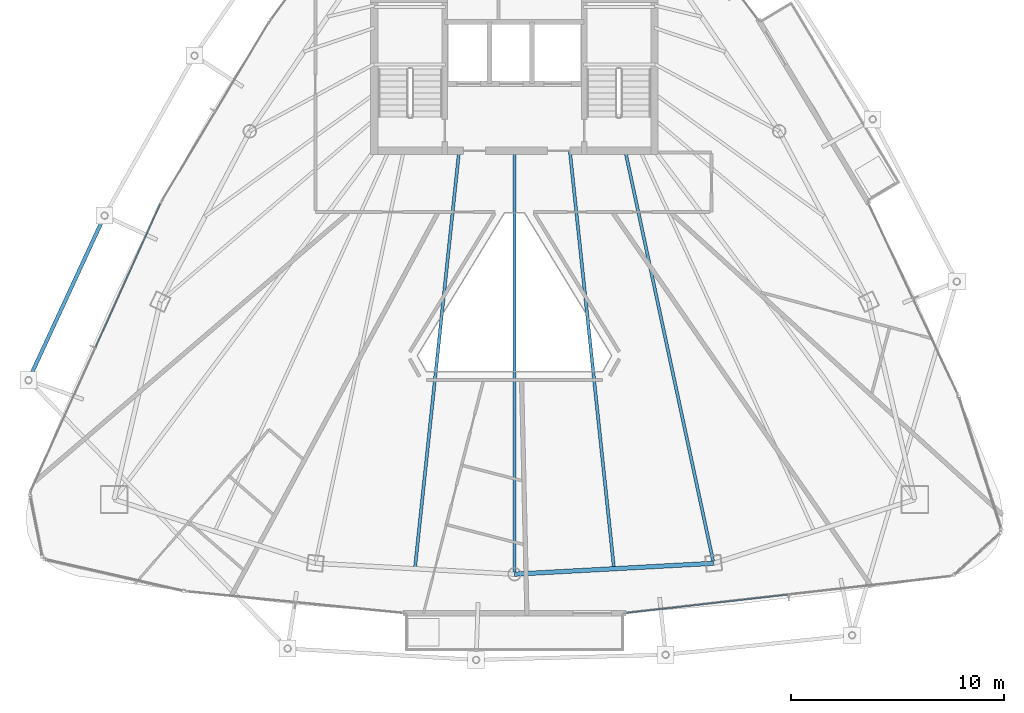
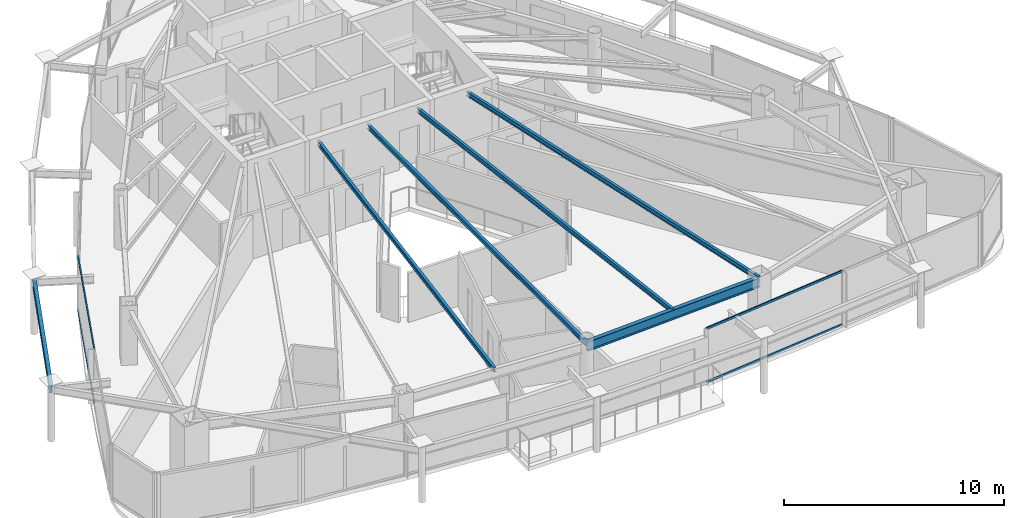
# One storey, part 9 of 30: 6 beams, 4 members, 2 elements without a shape of their own.
"""IFC4 building model written with IfcOpenShell, lengths in metres."""

import ifcopenshell
import ifcopenshell.guid

model = None  # the IFC model being written
_history = None  # IfcOwnerHistory: only IFC2X3 demands one
_inside = {}  # id of a spatial element -> (the spatial element, [elements in it])
_under = {}  # id of a project, library or spatial element -> (it, [spatial elements below it])
_declared = {}  # id of a project -> (the project, [libraries it declares])
_typed = {}  # id of a type object -> (the type object, [elements of that type])
_made_of = {}  # id of a material, layer set ... -> (it, [elements and type objects made of it])


def new_model(schema):
    """Start an empty IFC model of exactly this schema.

    Asked for "IFC4X3", IfcOpenShell would pick the latest addendum, in which some entities
    have other attributes; the version numbers below select the first issue.
    IFC2X3 requires an IfcOwnerHistory on every rooted entity: one is made here for all.
    """
    global model, _history
    if schema == "IFC4X3":
        model = ifcopenshell.file(schema_version=(4, 3, 0, 0))
    else:
        model = ifcopenshell.file(schema=schema)
    _inside.clear()
    _under.clear()
    _declared.clear()
    _typed.clear()
    _made_of.clear()
    _history = None
    if model.schema == "IFC2X3":
        org = make("IfcOrganization", Name="unknown")
        user = make(
            "IfcPersonAndOrganization",
            ThePerson=make("IfcPerson", FamilyName="unknown"),
            TheOrganization=org,
        )
        app = make(
            "IfcApplication",
            ApplicationDeveloper=org,
            Version="unknown",
            ApplicationFullName="unknown",
            ApplicationIdentifier="unknown",
        )
        _history = make(
            "IfcOwnerHistory",
            OwningUser=user,
            OwningApplication=app,
            ChangeAction="ADDED",
            CreationDate=0,
        )
    return model


def make(cls, **values):
    """One entity of the class cls with the attributes given. An attribute that is None is left unset."""
    return model.create_entity(
        cls, **{name: value for name, value in values.items() if value is not None}
    )


def rooted(cls, **values):
    """An entity with a GlobalId (a new one), such as an element, a storey or a relation."""
    return make(cls, GlobalId=ifcopenshell.guid.new(), OwnerHistory=_history, **values)


def si_unit(unit_type, name, prefix=None):
    """IfcSIUnit, for example si_unit("LENGTHUNIT", "METRE", prefix="MILLI")."""
    return make("IfcSIUnit", UnitType=unit_type, Prefix=prefix, Name=name)


def assignment(units):
    """IfcUnitAssignment: the units of a project."""
    return None if units is None else make("IfcUnitAssignment", Units=units)


def point(xyz):
    """IfcCartesianPoint."""
    return None if xyz is None else make("IfcCartesianPoint", Coordinates=xyz)


def direction(xyz):
    """IfcDirection."""
    return None if xyz is None else make("IfcDirection", DirectionRatios=xyz)


def frame(location, z_axis=None, x_axis=None):
    """IfcAxis2Placement3D, a coordinate frame: its origin and axes. An axis left out is left unset."""
    return make(
        "IfcAxis2Placement3D",
        Location=point(location),
        Axis=direction(z_axis),
        RefDirection=direction(x_axis),
    )


def frame_2d(location, x_axis=None):
    """IfcAxis2Placement2D, a coordinate frame in the plane: its origin and x axis."""
    return make(
        "IfcAxis2Placement2D", Location=point(location), RefDirection=direction(x_axis)
    )


def origin():
    """The frame at (0, 0, 0) with its axes left unset."""
    return frame((0.0, 0.0, 0.0))


def origin_2d():
    """The frame at (0, 0) in the plane with its x axis left unset."""
    return frame_2d((0.0, 0.0))


def place(relative_to, where):
    """IfcLocalPlacement: puts the frame where relative to a parent placement (None: the world)."""
    return make(
        "IfcLocalPlacement", PlacementRelTo=relative_to, RelativePlacement=where
    )


def context(
    kind, dimensions, precision=None, world=None, true_north=None, identifier=None
):
    """IfcGeometricRepresentationContext, for example the 3D "Model" context."""
    return make(
        "IfcGeometricRepresentationContext",
        ContextIdentifier=identifier,
        ContextType=kind,
        CoordinateSpaceDimension=dimensions,
        Precision=precision,
        WorldCoordinateSystem=world,
        TrueNorth=true_north,
    )


def subcontext(parent, identifier, kind, view, scale=None):
    """IfcGeometricRepresentationSubContext, for example "Body" below "Model"."""
    return make(
        "IfcGeometricRepresentationSubContext",
        ContextIdentifier=identifier,
        ContextType=kind,
        ParentContext=parent,
        TargetScale=scale,
        TargetView=view,
    )


def project(units=None, contexts=None):
    """IfcProject with its units and contexts."""
    return rooted(
        "IfcProject",
        Name="project",
        RepresentationContexts=contexts,
        UnitsInContext=assignment(units),
    )


def spatial(cls, under=None, at=None, **own):
    """A site, building, storey or space (cls), placed at a placement, below another one or the project."""
    s = rooted(cls, ObjectPlacement=at, **own)
    if under is not None:
        _under.setdefault(under.id(), (under, []))[1].append(s)
    return s


def profile(cls, at=None, kind="AREA", **sizes):
    """A parametric profile (cls). Its sizes go by their IFC names, for example OverallWidth=200.0."""
    return make(cls, ProfileType=kind, Position=at, **sizes)


def hollow_rectangle(**sizes):
    """IfcRectangleHollowProfileDef."""
    return profile("IfcRectangleHollowProfileDef", **sizes)


def i_section(**sizes):
    """IfcIShapeProfileDef."""
    return profile("IfcIShapeProfileDef", **sizes)


def extrude(swept, where, along, depth):
    """IfcExtrudedAreaSolid: the profile swept, set in the frame where, extruded along a direction by depth."""
    return make(
        "IfcExtrudedAreaSolid",
        SweptArea=swept,
        Position=where,
        ExtrudedDirection=direction(along),
        Depth=depth,
    )


def shape(context_of_items, identifier, shape_type, items):
    """IfcShapeRepresentation: the items that make up one representation, for example the "Body"."""
    return make(
        "IfcShapeRepresentation",
        ContextOfItems=context_of_items,
        RepresentationIdentifier=identifier,
        RepresentationType=shape_type,
        Items=items,
    )


def material(Name=None, Category=None):
    """IfcMaterial."""
    return make("IfcMaterial", Name=Name, Category=Category)


def layer(
    of_material, thickness, ventilated=None, Name=None, Category=None, Priority=None
):
    """IfcMaterialLayer: one layer of a wall or slab, of a material (None: an air gap)."""
    return make(
        "IfcMaterialLayer",
        Material=of_material,
        LayerThickness=thickness,
        IsVentilated=ventilated,
        Name=Name,
        Category=Category,
        Priority=Priority,
    )


def layer_set(layers, Name=None):
    """IfcMaterialLayerSet."""
    return make("IfcMaterialLayerSet", MaterialLayers=layers, LayerSetName=Name)


def material_profile(
    of_material, cross_section, Name=None, Category=None, Priority=None
):
    """IfcMaterialProfile: a cross section and its material."""
    return make(
        "IfcMaterialProfile",
        Name=Name,
        Material=of_material,
        Profile=cross_section,
        Priority=Priority,
        Category=Category,
    )


def profile_set(profiles, Name=None, composite=None):
    """IfcMaterialProfileSet."""
    return make(
        "IfcMaterialProfileSet",
        Name=Name,
        MaterialProfiles=profiles,
        CompositeProfile=composite,
    )


def made_of(thing, what):
    """Note that an element or type object is made of a material, layer set ...; save() writes the relation."""
    if what is not None:
        _made_of.setdefault(what.id(), (what, []))[1].append(thing)
    return thing


def type_object(cls, material=None, **own):
    """A type object (cls), such as IfcWallType, which elements share."""
    return made_of(rooted(cls, **own), material)


def element(
    cls,
    number,
    at=None,
    inside=None,
    cuts=None,
    type_object=None,
    material=None,
    context=None,
    identifier="Body",
    shape_type=None,
    held_by="IfcProductDefinitionShape",
    body=None,
    shapes=None,
    **own,
):
    """One element of the class cls, such as IfcWall. Its Tag is "e" and its number.

    at: its placement. inside: the storey or other place that contains it. cuts: it is an
    opening in that element (IfcRelVoidsElement). A single representation is given by context,
    identifier, shape_type and body (its items); several are given by shapes. held_by: the class
    of the entity that holds the representations. save() writes the other relations.
    """
    e = rooted(cls, Tag="e%d" % number, ObjectPlacement=at, **own)
    if body is not None:
        shapes = [shape(context, identifier, shape_type, body)]
    if shapes is not None:
        e.Representation = make(held_by, Representations=shapes)
    if inside is not None:
        _inside.setdefault(inside.id(), (inside, []))[1].append(e)
    if cuts is not None:
        rooted(
            "IfcRelVoidsElement", RelatingBuildingElement=cuts, RelatedOpeningElement=e
        )
    if type_object is not None:
        _typed.setdefault(type_object.id(), (type_object, []))[1].append(e)
    return made_of(e, material)


def aggregate(whole, parts):
    """IfcRelAggregates: a whole, such as a stair, and the parts it consists of."""
    return rooted("IfcRelAggregates", RelatingObject=whole, RelatedObjects=parts)


def save(model, path):
    """Write the relations noted so far, then the file.

    IfcRelAggregates (storeys below a building ...), IfcRelContainedInSpatialStructure (elements
    in a storey), IfcRelDefinesByType, IfcRelAssociatesMaterial and IfcRelDeclares: one each for
    every whole, place, type object, material and project.
    """
    for whole, parts in _under.values():
        aggregate(whole, parts)
    for where, things in _inside.values():
        rooted(
            "IfcRelContainedInSpatialStructure",
            RelatedElements=things,
            RelatingStructure=where,
        )
    for kind, things in _typed.values():
        rooted("IfcRelDefinesByType", RelatedObjects=things, RelatingType=kind)
    for what, things in _made_of.values():
        rooted("IfcRelAssociatesMaterial", RelatedObjects=things, RelatingMaterial=what)
    for by, libraries in _declared.values():
        rooted("IfcRelDeclares", RelatingContext=by, RelatedDefinitions=libraries)
    model.write(path)


model = new_model("IFC4")

# Units and contexts
model_context = context("Model", 3, precision=1e-05, world=origin(), true_north=direction((0.0, 1.0)))
body_context = subcontext(model_context, "Body", "Model", "MODEL_VIEW")
ifc_project = project(units=[si_unit("LENGTHUNIT", "METRE"), si_unit("AREAUNIT", "SQUARE_METRE"), si_unit("VOLUMEUNIT", "CUBIC_METRE"), si_unit("PLANEANGLEUNIT", "RADIAN"), si_unit("MASSUNIT", "GRAM", prefix="KILO")], contexts=[model_context])

# Site, building, storey
site_placement = place(None, origin())
site = spatial("IfcSite", under=ifc_project, at=site_placement, CompositionType="ELEMENT")
building_placement = place(site_placement, origin())
building = spatial("IfcBuilding", under=site, at=building_placement, Name="Orvanel Arch Residences", CompositionType="ELEMENT")
storey_placement = place(building_placement, frame((0.0, 0.0, 232.699951171875)))
storey = spatial("IfcBuildingStorey", under=building, at=storey_placement, Name="L66", CompositionType="ELEMENT", Elevation=232.699951171875)

# Beams
ifc_material_1 = material(Name="Structural steel AS/NZS 3679.1 Grade 300 (300 MPa)", Category="steel")
ifc_material_profile_1 = material_profile(ifc_material_1, i_section(OverallWidth=0.14599609375, OverallDepth=0.251953125, WebThickness=0.006103515625, FlangeThickness=0.008544921875, at=origin_2d()), Name="250UB31.4")
ifc_profile_set_1 = profile_set([ifc_material_profile_1], Name="Structural steel AS/NZS 3679.1 Grade 300 (300 MPa)")
beam_type_1 = type_object("IfcBeamType", Name="BJ-250UB", PredefinedType="JOIST", material=ifc_profile_set_1)
beam_1_placement = place(storey_placement, frame((38.199951171875, 26.72509765625, 2.89404296875), z_axis=(0.209547604985, -0.977798446125, 0.0), x_axis=(0.977798446125, 0.209547604985, 0.0)))
element("IfcBeam", 1, at=beam_1_placement, inside=storey, type_object=beam_type_1, Name="L66 SE Wing Floor Joist", PredefinedType="JOIST", context=body_context, shape_type="SweptSolid", body=[
    extrude(i_section(OverallWidth=0.14599609375, OverallDepth=0.251953125, WebThickness=0.006103515625, FlangeThickness=0.008544921875, at=origin_2d()), origin(), (0.0, 0.0, 1.0), 19.809814453125),
])
beam_2_placement = place(storey_placement, frame((33.0, 26.72509765625, 2.89404296875), z_axis=(0.0, -1.0, 0.0), x_axis=(1.0, 0.0, 0.0)))
element("IfcBeam", 2, at=beam_2_placement, inside=storey, type_object=beam_type_1, Name="L66 SSW Wing Floor Joist", PredefinedType="JOIST", context=body_context, shape_type="SweptSolid", body=[
    extrude(i_section(OverallWidth=0.14599609375, OverallDepth=0.251953125, WebThickness=0.006103515625, FlangeThickness=0.008544921875, at=origin_2d()), origin(), (0.0, 0.0, 1.0), 19.881103515625),
])
for number, where, z_axis, x_axis, name in (
    (3, (30.39990234375, 26.72509765625, 2.89404296875), (-0.105143936131, -0.994457014, 0.0), (0.994457014, -0.105143936131, 0.0), "L66 WSW2 Wing Floor Joist"),
    (4, (35.60009765625, 26.72509765625, 2.89404296875), (0.105143936131, -0.994457014, 0.0), (0.994457014, 0.105143936131, 0.0), "L66 ESE2 Wing Floor Joist"),
):
    element("IfcBeam", number, at=place(storey_placement, frame(where, z_axis=z_axis, x_axis=x_axis)), inside=storey, type_object=beam_type_1, Name=name, PredefinedType="JOIST", context=body_context, shape_type="SweptSolid", body=[
        extrude(i_section(OverallWidth=0.14599609375, OverallDepth=0.251953125, WebThickness=0.006103515625, FlangeThickness=0.008544921875, at=origin_2d()), origin(), (0.0, 0.0, 1.0), 19.734375),
    ])
ifc_material_profile_2 = material_profile(ifc_material_1, i_section(OverallWidth=0.177978515625, OverallDepth=0.406005859375, WebThickness=0.0078125, FlangeThickness=0.0126953125, at=origin_2d()), Name="410UB59.7")
ifc_profile_set_2 = profile_set([ifc_material_profile_2], Name="Structural steel AS/NZS 3679.1 Grade 300 (300 MPa)")
beam_type_2 = type_object("IfcBeamType", Name="OB-410UB-EXT", PredefinedType="SPANDREL", material=ifc_profile_set_2)
beam_3_placement = place(storey_placement, frame((13.751953125, 23.681884765625, 2.817138671875), z_axis=(-0.419434455083, -0.907785623311, 0.0), x_axis=(0.907785623311, -0.419434455083, 0.0)))
element("IfcBeam", 5, at=beam_3_placement, inside=storey, type_object=beam_type_2, Name="L66 Outer Perimeter Floor Ring Beam 03", PredefinedType="SPANDREL", context=body_context, shape_type="SweptSolid", body=[
    extrude(i_section(OverallWidth=0.177978515625, OverallDepth=0.406005859375, WebThickness=0.0078125, FlangeThickness=0.0126953125, at=origin_2d()), origin(), (0.0, 0.0, 1.0), 8.516357421875),
])
ifc_material_profile_3 = material_profile(ifc_material_1, i_section(OverallWidth=0.208984375, OverallDepth=0.532958984375, WebThickness=0.01025390625, FlangeThickness=0.015625, at=origin_2d()), Name="530UB92.4")
ifc_profile_set_3 = profile_set([ifc_material_profile_3], Name="Structural steel AS/NZS 3679.1 Grade 300 (300 MPa)")
beam_type_3 = type_object("IfcBeamType", Name="SP-530UB", PredefinedType="SPANDREL", material=ifc_profile_set_3)
beam_4_placement = place(storey_placement, frame((33.0, 6.843994140625, 2.7529296875), z_axis=(0.998510315598, 0.054563262768, 0.0), x_axis=(-0.054563262768, 0.998510315598, 0.0)))
element("IfcBeam", 6, at=beam_4_placement, inside=storey, type_object=beam_type_3, Name="L66 Perimeter Spandrel Beam 04", PredefinedType="SPANDREL", context=body_context, shape_type="SweptSolid", body=[
    extrude(i_section(OverallWidth=0.208984375, OverallDepth=0.532958984375, WebThickness=0.01025390625, FlangeThickness=0.015625, at=origin_2d()), origin(), (0.0, 0.0, 1.0), 9.364990234375),
])

# Curtain wall, members
ifc_material_2 = material(Name="Bronze-anodised aluminium AA6063-T6", Category="aluminium")
ifc_layer = layer(ifc_material_2, 0.175048828125)
ifc_layer_set = layer_set([ifc_layer], Name="Bronze-anodised aluminium AA6063-T6")
curtain_wall_type = type_object("IfcCurtainWallType", Name="CW4-HI-SYS", PredefinedType="NOTDEFINED", material=ifc_layer_set)
curtain_wall_1_placement = place(storey_placement, origin())
curtain_wall_1 = element("IfcCurtainWall", 7, at=curtain_wall_1_placement, inside=storey, type_object=curtain_wall_type, Name="L66 CW4-HI-SYS Unitised Curtain Wall", PredefinedType="NOTDEFINED")
ifc_material_profile_4 = material_profile(ifc_material_2, hollow_rectangle(XDim=0.06005859375, YDim=0.1201171875, WallThickness=0.00341796875, at=origin_2d()), Name="ALU120x60x3.5")
ifc_profile_set_4 = profile_set([ifc_material_profile_4], Name="Bronze-anodised aluminium AA6063-T6")
member_type = type_object("IfcMemberType", Name="TRN-120x60", PredefinedType="USERDEFINED", material=ifc_profile_set_4)
member_1_placement = place(storey_placement, frame((16.3671875, 24.230712890625, 0.030029296875), z_axis=(-0.411121754868, -0.91158044224, 0.0), x_axis=(0.91158044224, -0.411121754868, 0.0)))
member_1 = element("IfcMember", 8, at=member_1_placement, type_object=member_type, Name="CW-S4 transom 1.1", ObjectType="TRANSOM", PredefinedType="USERDEFINED", context=body_context, shape_type="SweptSolid", body=[
    extrude(hollow_rectangle(XDim=0.06005859375, YDim=0.1201171875, WallThickness=0.00341796875, at=origin_2d()), origin(), (0.0, 0.0, 1.0), 7.38671875),
])
member_2_placement = place(storey_placement, frame((16.3671875, 24.230712890625, 2.989990234375), z_axis=(-0.411121754868, -0.91158044224, 0.0), x_axis=(0.91158044224, -0.411121754868, 0.0)))
member_2 = element("IfcMember", 9, at=member_2_placement, type_object=member_type, Name="CW-S4 transom 1.2", ObjectType="TRANSOM", PredefinedType="USERDEFINED", context=body_context, shape_type="SweptSolid", body=[
    extrude(hollow_rectangle(XDim=0.06005859375, YDim=0.1201171875, WallThickness=0.00341796875, at=origin_2d()), origin(), (0.0, 0.0, 1.0), 7.38671875),
])
aggregate(curtain_wall_1, [member_1, member_2])

curtain_wall_2_placement = place(storey_placement, origin())
curtain_wall_2 = element("IfcCurtainWall", 10, at=curtain_wall_2_placement, inside=storey, type_object=curtain_wall_type, Name="L66 CW4-HI-SYS Unitised Curtain Wall", PredefinedType="NOTDEFINED")
member_3_placement = place(storey_placement, frame((38.228515625, 5.020263671875, 0.030029296875), z_axis=(0.993641990336, 0.112585945127, 0.0), x_axis=(-0.112585945127, 0.993641990336, 0.0)))
member_3 = element("IfcMember", 11, at=member_3_placement, type_object=member_type, Name="CW-S4 transom 1.1", ObjectType="TRANSOM", PredefinedType="USERDEFINED", context=body_context, shape_type="SweptSolid", body=[
    extrude(hollow_rectangle(XDim=0.06005859375, YDim=0.1201171875, WallThickness=0.00341796875, at=origin_2d()), origin(), (0.0, 0.0, 1.0), 7.648193359375),
])
member_4_placement = place(storey_placement, frame((38.228515625, 5.020263671875, 2.989990234375), z_axis=(0.993641990336, 0.112585945127, 0.0), x_axis=(-0.112585945127, 0.993641990336, 0.0)))
member_4 = element("IfcMember", 12, at=member_4_placement, type_object=member_type, Name="CW-S4 transom 1.2", ObjectType="TRANSOM", PredefinedType="USERDEFINED", context=body_context, shape_type="SweptSolid", body=[
    extrude(hollow_rectangle(XDim=0.06005859375, YDim=0.1201171875, WallThickness=0.00341796875, at=origin_2d()), origin(), (0.0, 0.0, 1.0), 7.648193359375),
])
aggregate(curtain_wall_2, [member_3, member_4])

save(model, "model.ifc")
